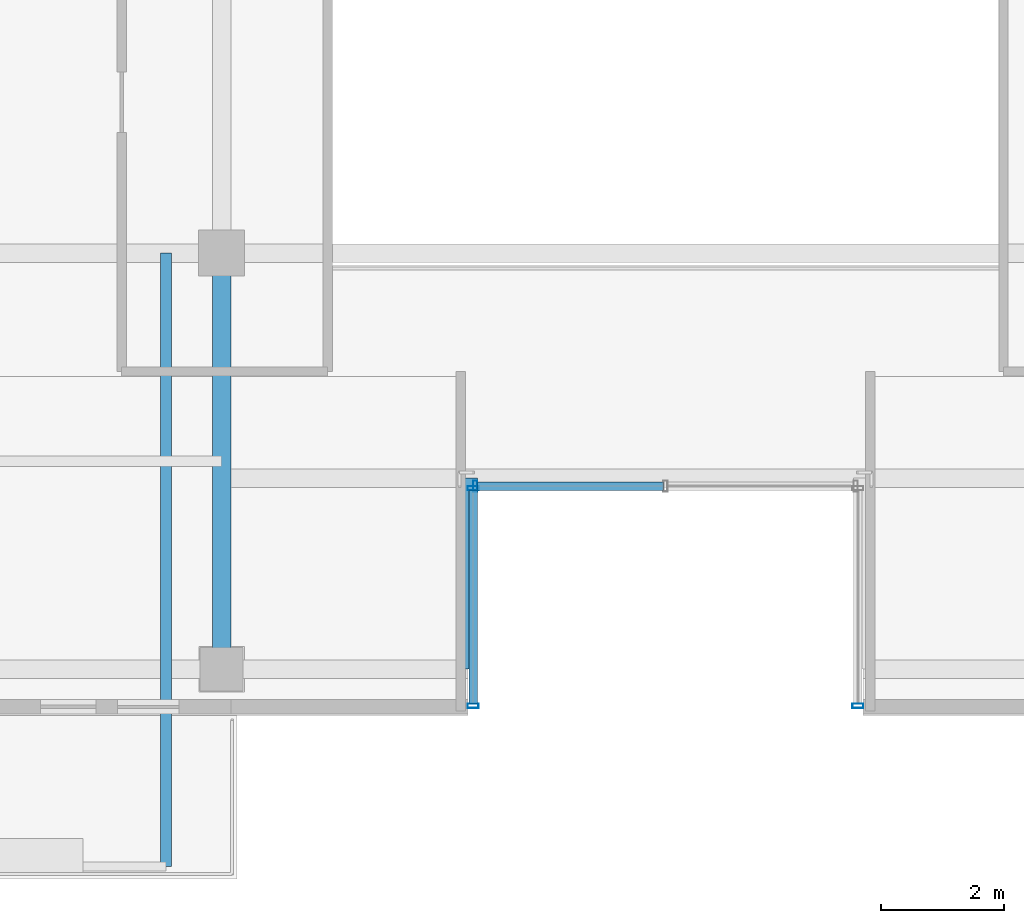
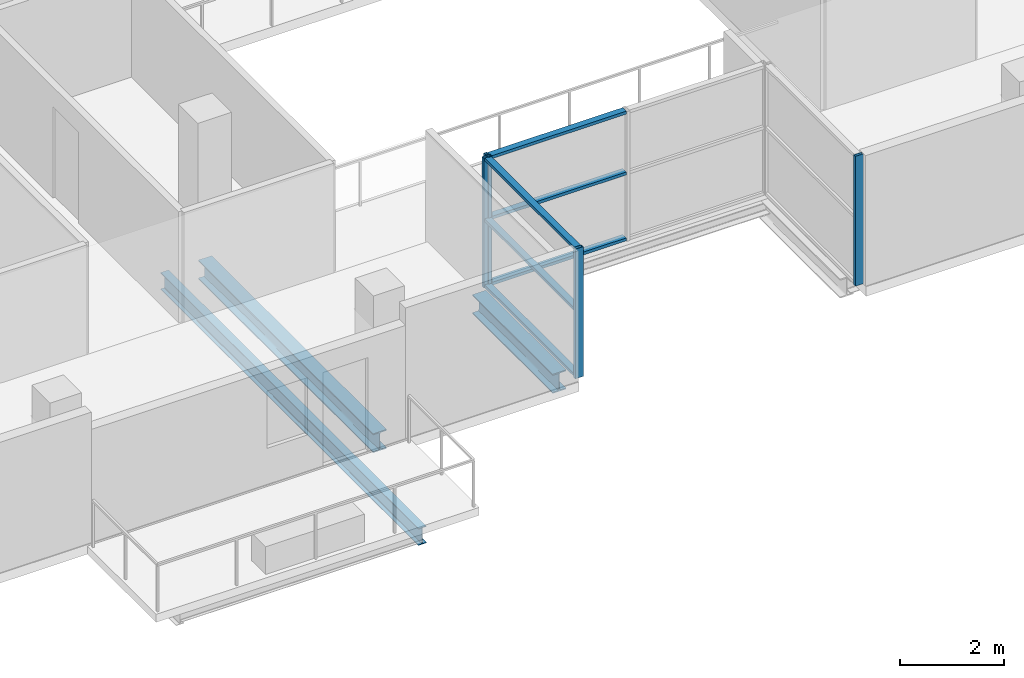
# One storey, part 3 of 24: 10 members, 3 beams, 3 elements without a shape of their own.
"""IFC4 building model written with IfcOpenShell, lengths in metres."""

from ifc_helpers import new_model, si_unit, direction, frame, origin, origin_2d, place, context, subcontext, project, spatial, hollow_rectangle, i_section, extrude, source, transform, mapped, material, layer, layer_set, material_profile, profile_set, type_object, element, aggregate, save


model = new_model("IFC4")

# Units and contexts
model_context = context("Model", 3, precision=1e-05, world=origin(), true_north=direction((0.0, 1.0)))
body_context = subcontext(model_context, "Body", "Model", "MODEL_VIEW")
ifc_project = project(units=[si_unit("LENGTHUNIT", "METRE"), si_unit("AREAUNIT", "SQUARE_METRE"), si_unit("VOLUMEUNIT", "CUBIC_METRE"), si_unit("PLANEANGLEUNIT", "RADIAN"), si_unit("MASSUNIT", "GRAM", prefix="KILO")], contexts=[model_context])

# Site, building, storey
site_placement = place(None, origin())
site = spatial("IfcSite", under=ifc_project, at=site_placement, CompositionType="ELEMENT")
building_placement = place(site_placement, origin())
building = spatial("IfcBuilding", under=site, at=building_placement, Name="Zarnakvel Exchange Tower", CompositionType="ELEMENT")
storey_placement = place(building_placement, frame((0.0, 0.0, 208.89990234375)))
storey = spatial("IfcBuildingStorey", under=building, at=storey_placement, Name="L58", CompositionType="ELEMENT", Elevation=208.89990234375)

# Beams
ifc_material_1 = material(Name="Steel S355", Category="steel")
ifc_material_profile_1 = material_profile(ifc_material_1, i_section(OverallWidth=0.179931640625, OverallDepth=0.39990234375, WebThickness=0.008544921875, FlangeThickness=0.013427734375, FilletRadius=0.02099609375, at=origin_2d()))
ifc_profile_set_1 = profile_set([ifc_material_profile_1], Name="Steel S355")
beam_type_1 = type_object("IfcBeamType", Name="B-06", PredefinedType="JOIST", material=ifc_profile_set_1)
beam_1_placement = place(storey_placement, frame((-8.10009765625, -9.60009765625, -0.4248046875), z_axis=(0.0, -1.0, 0.0), x_axis=(1.0, 0.0, 0.0)))
element("IfcBeam", 1, at=beam_1_placement, inside=storey, type_object=beam_type_1, Name="L58 Continuous Back-Spanned Balcony Beam E", PredefinedType="JOIST", context=body_context, shape_type="SweptSolid", body=[
    extrude(i_section(OverallWidth=0.179931640625, OverallDepth=0.39990234375, WebThickness=0.008544921875, FlangeThickness=0.013427734375, FilletRadius=0.02099609375, at=origin_2d()), origin(), (0.0, 0.0, 1.0), 9.949951171875),
])
ifc_material_profile_2 = material_profile(ifc_material_1, i_section(OverallWidth=0.300048828125, OverallDepth=0.449951171875, WebThickness=0.013916015625, FlangeThickness=0.02587890625, FilletRadius=0.027099609375, at=origin_2d()))
ifc_profile_set_2 = profile_set([ifc_material_profile_2], Name="Steel S355")
beam_type_2 = type_object("IfcBeamType", Name="G-07", PredefinedType="BEAM", material=ifc_profile_set_2)
beam_2_placement = place(storey_placement, frame((-3.199951171875, -16.35009765625, -0.449951171875), z_axis=(0.0, 1.0, 0.0), x_axis=(-1.0, 0.0, 0.0)))
element("IfcBeam", 2, at=beam_2_placement, inside=storey, type_object=beam_type_2, Name="L58 South Slot West Cheek Beam", PredefinedType="BEAM", context=body_context, shape_type="SweptSolid", body=[
    extrude(i_section(OverallWidth=0.300048828125, OverallDepth=0.449951171875, WebThickness=0.013916015625, FlangeThickness=0.02587890625, FilletRadius=0.027099609375, at=origin_2d()), origin(), (0.0, 0.0, 1.0), 3.10009765625),
])
beam_3_placement = place(storey_placement, frame((-7.199951171875, -16.35009765625, -0.449951171875), z_axis=(0.0, 1.0, 0.0), x_axis=(-1.0, 0.0, 0.0)))
element("IfcBeam", 3, at=beam_3_placement, inside=storey, type_object=beam_type_2, Name="L58 Tower N-S Frame Beam", PredefinedType="BEAM", context=body_context, shape_type="SweptSolid", body=[
    extrude(i_section(OverallWidth=0.300048828125, OverallDepth=0.449951171875, WebThickness=0.013916015625, FlangeThickness=0.02587890625, FilletRadius=0.027099609375, at=origin_2d()), origin(), (0.0, 0.0, 1.0), 6.75),
])

# Curtain wall, members
ifc_material_2 = material(Name="Architectural Bronze Anodised Aluminium", Category="aluminium")
ifc_layer = layer(ifc_material_2, 0.179931640625)
ifc_layer_set = layer_set([ifc_layer], Name="Architectural Bronze Anodised Aluminium")
curtain_wall_type = type_object("IfcCurtainWallType", Name="CW-05", PredefinedType="NOTDEFINED", material=ifc_layer_set)
curtain_wall_1_placement = place(storey_placement, origin())
curtain_wall_1 = element("IfcCurtainWall", 4, at=curtain_wall_1_placement, inside=storey, type_object=curtain_wall_type, Name="L58 Curtain Wall CW-L58-SLW (CW-05)", PredefinedType="NOTDEFINED")
ifc_material_profile_3 = material_profile(ifc_material_2, hollow_rectangle(XDim=0.179931640625, YDim=0.070068359375, WallThickness=0.00390625, at=origin_2d()))
ifc_profile_set_3 = profile_set([ifc_material_profile_3], Name="Architectural Bronze Anodised Aluminium")
member_type_1 = type_object("IfcMemberType", Name="CWM-05", PredefinedType="MULLION", material=ifc_profile_set_3)
shared_shape_1 = source(origin(), body_context, "Body", "SweptSolid", [
    extrude(hollow_rectangle(XDim=0.179931640625, YDim=0.070068359375, WallThickness=0.00390625, at=origin_2d()), origin(), (0.0, 0.0, 1.0), 3.05517578125),
])
member_1_placement = place(storey_placement, frame((-3.1201171875, -16.945068359375, 0.0), z_axis=(0.0, 0.0, 1.0), x_axis=(-1.0, 0.0, 0.0)))
member_1 = element("IfcMember", 5, at=member_1_placement, type_object=member_type_1, Name="CW-05 mullion 1", PredefinedType="MULLION", context=body_context, shape_type="MappedRepresentation", body=[
    mapped(shared_shape_1, transform((0.0, 0.0, 0.0), x_axis=(1.0, 0.0, 0.0), y_axis=(0.0, 1.0, 0.0), z_axis=(0.0, 0.0, 1.0), scale=1.0)),
])
member_2_placement = place(storey_placement, frame((-3.1201171875, -13.4150390625, 0.0), z_axis=(0.0, 0.0, 1.0), x_axis=(-1.0, 0.0, 0.0)))
member_2 = element("IfcMember", 6, at=member_2_placement, type_object=member_type_1, Name="CW-05 mullion 2", PredefinedType="MULLION", context=body_context, shape_type="MappedRepresentation", body=[
    mapped(shared_shape_1, transform((0.0, 0.0, 0.0), x_axis=(1.0, 0.0, 0.0), y_axis=(0.0, 1.0, 0.0), z_axis=(0.0, 0.0, 1.0), scale=1.0)),
])

# Curtain wall, member
curtain_wall_2_placement = place(storey_placement, origin())
curtain_wall_2 = element("IfcCurtainWall", 7, at=curtain_wall_2_placement, inside=storey, type_object=curtain_wall_type, Name="L58 Curtain Wall CW-L58-SLB (CW-05)", PredefinedType="NOTDEFINED")
member_3_placement = place(storey_placement, frame((-3.0849609375, -13.3798828125, 0.0), z_axis=(0.0, 0.0, 1.0), x_axis=(0.0, 1.0, 0.0)))
member_3 = element("IfcMember", 8, at=member_3_placement, type_object=member_type_1, Name="CW-05 mullion 1", PredefinedType="MULLION", context=body_context, shape_type="MappedRepresentation", body=[
    mapped(shared_shape_1, transform((0.0, 0.0, 0.0), x_axis=(1.0, 0.0, 0.0), y_axis=(0.0, 1.0, 0.0), z_axis=(0.0, 0.0, 1.0), scale=1.0)),
])

curtain_wall_3_placement = place(storey_placement, origin())
curtain_wall_3 = element("IfcCurtainWall", 9, at=curtain_wall_3_placement, inside=storey, type_object=curtain_wall_type, Name="L58 Curtain Wall CW-L58-SLE (CW-05)", PredefinedType="NOTDEFINED")
member_4_placement = place(storey_placement, frame((3.1201171875, -16.945068359375, 0.0), z_axis=(0.0, 0.0, 1.0), x_axis=(1.0, 0.0, 0.0)))
member_4 = element("IfcMember", 10, at=member_4_placement, type_object=member_type_1, Name="CW-05 mullion 2", PredefinedType="MULLION", context=body_context, shape_type="MappedRepresentation", body=[
    mapped(shared_shape_1, transform((0.0, 0.0, 0.0), x_axis=(1.0, 0.0, 0.0), y_axis=(0.0, 1.0, 0.0), z_axis=(0.0, 0.0, 1.0), scale=1.0)),
])
aggregate(curtain_wall_3, [member_4])

# Member
ifc_material_profile_4 = material_profile(ifc_material_2, hollow_rectangle(XDim=0.139892578125, YDim=0.070068359375, WallThickness=0.00390625, at=origin_2d()))
ifc_profile_set_4 = profile_set([ifc_material_profile_4], Name="Architectural Bronze Anodised Aluminium")
member_type_2 = type_object("IfcMemberType", Name="CWT-05", PredefinedType="USERDEFINED", material=ifc_profile_set_4)
shared_shape_2 = source(origin(), body_context, "Body", "SweptSolid", [
    extrude(hollow_rectangle(XDim=0.139892578125, YDim=0.070068359375, WallThickness=0.00390625, at=origin_2d()), origin(), (0.0, 0.0, 1.0), 3.4599609375),
])
member_5_placement = place(storey_placement, frame((-3.1201171875, -16.909912109375, 0.03515625), z_axis=(0.0, 1.0, 0.0), x_axis=(-1.0, 0.0, 0.0)))
member_5 = element("IfcMember", 11, at=member_5_placement, type_object=member_type_2, Name="CW-05 transom 1.1", ObjectType="TRANSOM", PredefinedType="USERDEFINED", context=body_context, shape_type="MappedRepresentation", body=[
    mapped(shared_shape_2, transform((0.0, 0.0, 0.0), x_axis=(1.0, 0.0, 0.0), y_axis=(0.0, 1.0, 0.0), z_axis=(0.0, 0.0, 1.0), scale=1.0)),
])

member_6_placement = place(storey_placement, frame((-3.1201171875, -16.909912109375, 1.588623046875), z_axis=(0.0, 1.0, 0.0), x_axis=(-1.0, 0.0, 0.0)))
member_6 = element("IfcMember", 12, at=member_6_placement, type_object=member_type_2, Name="CW-05 transom 1.2", ObjectType="TRANSOM", PredefinedType="USERDEFINED", context=body_context, shape_type="MappedRepresentation", body=[
    mapped(shared_shape_2, transform((0.0, 0.0, 0.0), x_axis=(1.0, 0.0, 0.0), y_axis=(0.0, 1.0, 0.0), z_axis=(0.0, 0.0, 1.0), scale=1.0)),
])

member_7_placement = place(storey_placement, frame((-3.1201171875, -16.909912109375, 3.02001953125), z_axis=(0.0, 1.0, 0.0), x_axis=(-1.0, 0.0, 0.0)))
member_7 = element("IfcMember", 13, at=member_7_placement, type_object=member_type_2, Name="CW-05 transom 1.3", ObjectType="TRANSOM", PredefinedType="USERDEFINED", context=body_context, shape_type="MappedRepresentation", body=[
    mapped(shared_shape_2, transform((0.0, 0.0, 0.0), x_axis=(1.0, 0.0, 0.0), y_axis=(0.0, 1.0, 0.0), z_axis=(0.0, 0.0, 1.0), scale=1.0)),
])

aggregate(curtain_wall_1, [member_1, member_2, member_5, member_6, member_7])

shared_shape_3 = source(origin(), body_context, "Body", "SweptSolid", [
    extrude(hollow_rectangle(XDim=0.139892578125, YDim=0.070068359375, WallThickness=0.00390625, at=origin_2d()), origin(), (0.0, 0.0, 1.0), 3.01513671875),
])
member_8_placement = place(storey_placement, frame((-3.050048828125, -13.3798828125, 0.03515625), z_axis=(1.0, 0.0, 0.0), x_axis=(0.0, 1.0, 0.0)))
member_8 = element("IfcMember", 14, at=member_8_placement, type_object=member_type_2, Name="CW-05 transom 1.1", ObjectType="TRANSOM", PredefinedType="USERDEFINED", context=body_context, shape_type="MappedRepresentation", body=[
    mapped(shared_shape_3, transform((0.0, 0.0, 0.0), x_axis=(1.0, 0.0, 0.0), y_axis=(0.0, 1.0, 0.0), z_axis=(0.0, 0.0, 1.0), scale=1.0)),
])

member_9_placement = place(storey_placement, frame((-3.050048828125, -13.3798828125, 1.588623046875), z_axis=(1.0, 0.0, 0.0), x_axis=(0.0, 1.0, 0.0)))
member_9 = element("IfcMember", 15, at=member_9_placement, type_object=member_type_2, Name="CW-05 transom 1.2", ObjectType="TRANSOM", PredefinedType="USERDEFINED", context=body_context, shape_type="MappedRepresentation", body=[
    mapped(shared_shape_3, transform((0.0, 0.0, 0.0), x_axis=(1.0, 0.0, 0.0), y_axis=(0.0, 1.0, 0.0), z_axis=(0.0, 0.0, 1.0), scale=1.0)),
])

member_10_placement = place(storey_placement, frame((-3.050048828125, -13.3798828125, 3.02001953125), z_axis=(1.0, 0.0, 0.0), x_axis=(0.0, 1.0, 0.0)))
member_10 = element("IfcMember", 16, at=member_10_placement, type_object=member_type_2, Name="CW-05 transom 1.3", ObjectType="TRANSOM", PredefinedType="USERDEFINED", context=body_context, shape_type="MappedRepresentation", body=[
    mapped(shared_shape_3, transform((0.0, 0.0, 0.0), x_axis=(1.0, 0.0, 0.0), y_axis=(0.0, 1.0, 0.0), z_axis=(0.0, 0.0, 1.0), scale=1.0)),
])

aggregate(curtain_wall_2, [member_3, member_8, member_9, member_10])

save(model, "model.ifc")
